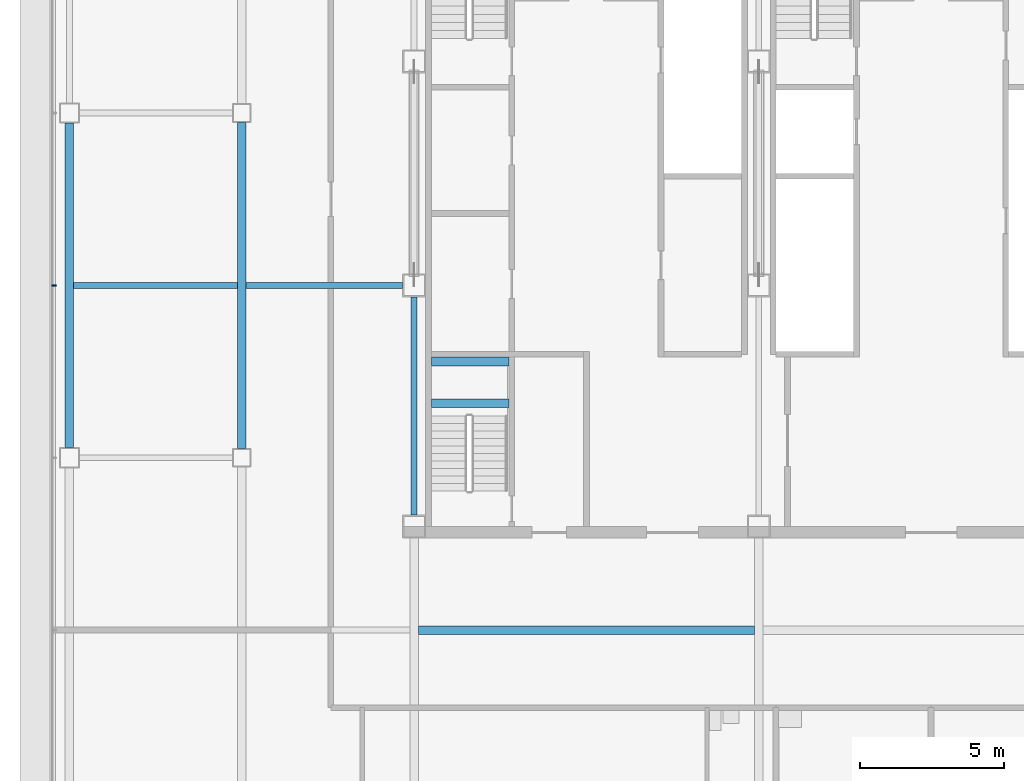
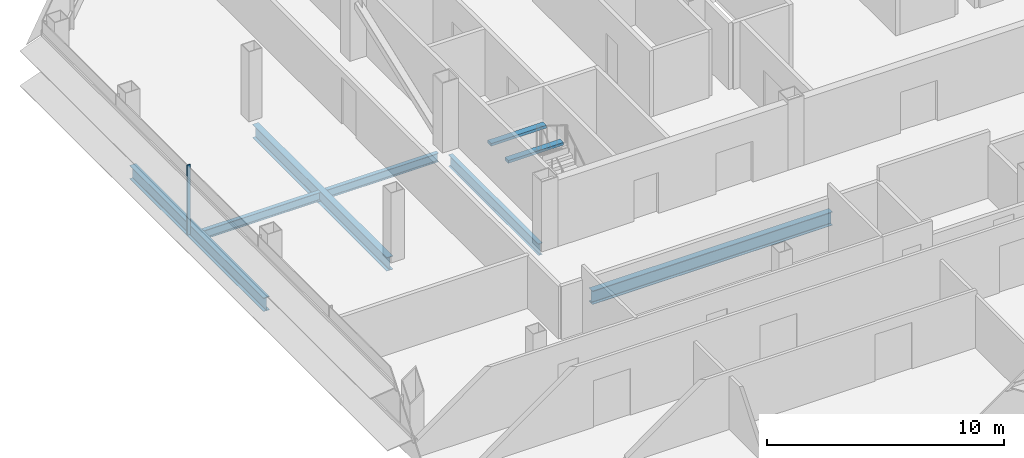
# One storey, part 6 of 24: 8 beams, 1 member, 1 element without a shape of its own.
"""IFC4 building model written with IfcOpenShell, lengths in metres."""

import ifcopenshell
import ifcopenshell.guid

model = None  # the IFC model being written
_history = None  # IfcOwnerHistory: only IFC2X3 demands one
_inside = {}  # id of a spatial element -> (the spatial element, [elements in it])
_under = {}  # id of a project, library or spatial element -> (it, [spatial elements below it])
_declared = {}  # id of a project -> (the project, [libraries it declares])
_typed = {}  # id of a type object -> (the type object, [elements of that type])
_made_of = {}  # id of a material, layer set ... -> (it, [elements and type objects made of it])


def new_model(schema):
    """Start an empty IFC model of exactly this schema.

    Asked for "IFC4X3", IfcOpenShell would pick the latest addendum, in which some entities
    have other attributes; the version numbers below select the first issue.
    IFC2X3 requires an IfcOwnerHistory on every rooted entity: one is made here for all.
    """
    global model, _history
    if schema == "IFC4X3":
        model = ifcopenshell.file(schema_version=(4, 3, 0, 0))
    else:
        model = ifcopenshell.file(schema=schema)
    _inside.clear()
    _under.clear()
    _declared.clear()
    _typed.clear()
    _made_of.clear()
    _history = None
    if model.schema == "IFC2X3":
        org = make("IfcOrganization", Name="unknown")
        user = make(
            "IfcPersonAndOrganization",
            ThePerson=make("IfcPerson", FamilyName="unknown"),
            TheOrganization=org,
        )
        app = make(
            "IfcApplication",
            ApplicationDeveloper=org,
            Version="unknown",
            ApplicationFullName="unknown",
            ApplicationIdentifier="unknown",
        )
        _history = make(
            "IfcOwnerHistory",
            OwningUser=user,
            OwningApplication=app,
            ChangeAction="ADDED",
            CreationDate=0,
        )
    return model


def make(cls, **values):
    """One entity of the class cls with the attributes given. An attribute that is None is left unset."""
    return model.create_entity(
        cls, **{name: value for name, value in values.items() if value is not None}
    )


def rooted(cls, **values):
    """An entity with a GlobalId (a new one), such as an element, a storey or a relation."""
    return make(cls, GlobalId=ifcopenshell.guid.new(), OwnerHistory=_history, **values)


def si_unit(unit_type, name, prefix=None):
    """IfcSIUnit, for example si_unit("LENGTHUNIT", "METRE", prefix="MILLI")."""
    return make("IfcSIUnit", UnitType=unit_type, Prefix=prefix, Name=name)


def assignment(units):
    """IfcUnitAssignment: the units of a project."""
    return None if units is None else make("IfcUnitAssignment", Units=units)


def point(xyz):
    """IfcCartesianPoint."""
    return None if xyz is None else make("IfcCartesianPoint", Coordinates=xyz)


def direction(xyz):
    """IfcDirection."""
    return None if xyz is None else make("IfcDirection", DirectionRatios=xyz)


def frame(location, z_axis=None, x_axis=None):
    """IfcAxis2Placement3D, a coordinate frame: its origin and axes. An axis left out is left unset."""
    return make(
        "IfcAxis2Placement3D",
        Location=point(location),
        Axis=direction(z_axis),
        RefDirection=direction(x_axis),
    )


def frame_2d(location, x_axis=None):
    """IfcAxis2Placement2D, a coordinate frame in the plane: its origin and x axis."""
    return make(
        "IfcAxis2Placement2D", Location=point(location), RefDirection=direction(x_axis)
    )


def origin():
    """The frame at (0, 0, 0) with its axes left unset."""
    return frame((0.0, 0.0, 0.0))


def origin_2d():
    """The frame at (0, 0) in the plane with its x axis left unset."""
    return frame_2d((0.0, 0.0))


def place(relative_to, where):
    """IfcLocalPlacement: puts the frame where relative to a parent placement (None: the world)."""
    return make(
        "IfcLocalPlacement", PlacementRelTo=relative_to, RelativePlacement=where
    )


def context(
    kind, dimensions, precision=None, world=None, true_north=None, identifier=None
):
    """IfcGeometricRepresentationContext, for example the 3D "Model" context."""
    return make(
        "IfcGeometricRepresentationContext",
        ContextIdentifier=identifier,
        ContextType=kind,
        CoordinateSpaceDimension=dimensions,
        Precision=precision,
        WorldCoordinateSystem=world,
        TrueNorth=true_north,
    )


def subcontext(parent, identifier, kind, view, scale=None):
    """IfcGeometricRepresentationSubContext, for example "Body" below "Model"."""
    return make(
        "IfcGeometricRepresentationSubContext",
        ContextIdentifier=identifier,
        ContextType=kind,
        ParentContext=parent,
        TargetScale=scale,
        TargetView=view,
    )


def project(units=None, contexts=None):
    """IfcProject with its units and contexts."""
    return rooted(
        "IfcProject",
        Name="project",
        RepresentationContexts=contexts,
        UnitsInContext=assignment(units),
    )


def spatial(cls, under=None, at=None, **own):
    """A site, building, storey or space (cls), placed at a placement, below another one or the project."""
    s = rooted(cls, ObjectPlacement=at, **own)
    if under is not None:
        _under.setdefault(under.id(), (under, []))[1].append(s)
    return s


def profile(cls, at=None, kind="AREA", **sizes):
    """A parametric profile (cls). Its sizes go by their IFC names, for example OverallWidth=200.0."""
    return make(cls, ProfileType=kind, Position=at, **sizes)


def rectangle(**sizes):
    """IfcRectangleProfileDef."""
    return profile("IfcRectangleProfileDef", **sizes)


def i_section(**sizes):
    """IfcIShapeProfileDef."""
    return profile("IfcIShapeProfileDef", **sizes)


def extrude(swept, where, along, depth):
    """IfcExtrudedAreaSolid: the profile swept, set in the frame where, extruded along a direction by depth."""
    return make(
        "IfcExtrudedAreaSolid",
        SweptArea=swept,
        Position=where,
        ExtrudedDirection=direction(along),
        Depth=depth,
    )


def shape(context_of_items, identifier, shape_type, items):
    """IfcShapeRepresentation: the items that make up one representation, for example the "Body"."""
    return make(
        "IfcShapeRepresentation",
        ContextOfItems=context_of_items,
        RepresentationIdentifier=identifier,
        RepresentationType=shape_type,
        Items=items,
    )


def material(Name=None, Category=None):
    """IfcMaterial."""
    return make("IfcMaterial", Name=Name, Category=Category)


def material_profile(
    of_material, cross_section, Name=None, Category=None, Priority=None
):
    """IfcMaterialProfile: a cross section and its material."""
    return make(
        "IfcMaterialProfile",
        Name=Name,
        Material=of_material,
        Profile=cross_section,
        Priority=Priority,
        Category=Category,
    )


def profile_set(profiles, Name=None, composite=None):
    """IfcMaterialProfileSet."""
    return make(
        "IfcMaterialProfileSet",
        Name=Name,
        MaterialProfiles=profiles,
        CompositeProfile=composite,
    )


def made_of(thing, what):
    """Note that an element or type object is made of a material, layer set ...; save() writes the relation."""
    if what is not None:
        _made_of.setdefault(what.id(), (what, []))[1].append(thing)
    return thing


def type_object(cls, material=None, **own):
    """A type object (cls), such as IfcWallType, which elements share."""
    return made_of(rooted(cls, **own), material)


def element(
    cls,
    number,
    at=None,
    inside=None,
    cuts=None,
    type_object=None,
    material=None,
    context=None,
    identifier="Body",
    shape_type=None,
    held_by="IfcProductDefinitionShape",
    body=None,
    shapes=None,
    **own,
):
    """One element of the class cls, such as IfcWall. Its Tag is "e" and its number.

    at: its placement. inside: the storey or other place that contains it. cuts: it is an
    opening in that element (IfcRelVoidsElement). A single representation is given by context,
    identifier, shape_type and body (its items); several are given by shapes. held_by: the class
    of the entity that holds the representations. save() writes the other relations.
    """
    e = rooted(cls, Tag="e%d" % number, ObjectPlacement=at, **own)
    if body is not None:
        shapes = [shape(context, identifier, shape_type, body)]
    if shapes is not None:
        e.Representation = make(held_by, Representations=shapes)
    if inside is not None:
        _inside.setdefault(inside.id(), (inside, []))[1].append(e)
    if cuts is not None:
        rooted(
            "IfcRelVoidsElement", RelatingBuildingElement=cuts, RelatedOpeningElement=e
        )
    if type_object is not None:
        _typed.setdefault(type_object.id(), (type_object, []))[1].append(e)
    return made_of(e, material)


def aggregate(whole, parts):
    """IfcRelAggregates: a whole, such as a stair, and the parts it consists of."""
    return rooted("IfcRelAggregates", RelatingObject=whole, RelatedObjects=parts)


def save(model, path):
    """Write the relations noted so far, then the file.

    IfcRelAggregates (storeys below a building ...), IfcRelContainedInSpatialStructure (elements
    in a storey), IfcRelDefinesByType, IfcRelAssociatesMaterial and IfcRelDeclares: one each for
    every whole, place, type object, material and project.
    """
    for whole, parts in _under.values():
        aggregate(whole, parts)
    for where, things in _inside.values():
        rooted(
            "IfcRelContainedInSpatialStructure",
            RelatedElements=things,
            RelatingStructure=where,
        )
    for kind, things in _typed.values():
        rooted("IfcRelDefinesByType", RelatedObjects=things, RelatingType=kind)
    for what, things in _made_of.values():
        rooted("IfcRelAssociatesMaterial", RelatedObjects=things, RelatingMaterial=what)
    for by, libraries in _declared.values():
        rooted("IfcRelDeclares", RelatingContext=by, RelatedDefinitions=libraries)
    model.write(path)


model = new_model("IFC4")

# Units and contexts
model_context = context("Model", 3, precision=1e-05, world=origin(), true_north=direction((0.0, 1.0)))
body_context = subcontext(model_context, "Body", "Model", "MODEL_VIEW")
ifc_project = project(units=[si_unit("LENGTHUNIT", "METRE"), si_unit("AREAUNIT", "SQUARE_METRE"), si_unit("VOLUMEUNIT", "CUBIC_METRE"), si_unit("PLANEANGLEUNIT", "RADIAN"), si_unit("MASSUNIT", "GRAM", prefix="KILO")], contexts=[model_context])

# Site, building, storey
site_placement = place(None, origin())
site = spatial("IfcSite", under=ifc_project, at=site_placement, CompositionType="ELEMENT")
building_placement = place(site_placement, origin())
building = spatial("IfcBuilding", under=site, at=building_placement, Name="Sorahane Residences", CompositionType="ELEMENT")
storey_placement = place(building_placement, frame((0.0, 0.0, 174.39990234375)))
storey = spatial("IfcBuildingStorey", under=building, at=storey_placement, Name="L40", CompositionType="ELEMENT", Elevation=174.39990234375)

# Curtain wall, member
ifc_material_1 = material(Name="Dark low-e glass and black anodised aluminium", Category="aluminium")
curtain_wall_type = type_object("IfcCurtainWallType", Name="Curtain wall CW-1 Typical unitised wall", PredefinedType="NOTDEFINED", material=ifc_material_1)
curtain_wall_placement = place(storey_placement, origin())
curtain_wall = element("IfcCurtainWall", 1, at=curtain_wall_placement, inside=storey, type_object=curtain_wall_type, Name="CW-1 curtain wall L40 W1", PredefinedType="NOTDEFINED")
ifc_material_2 = material(Name="Black anodised aluminium", Category="aluminium")
ifc_material_profile_1 = material_profile(ifc_material_2, rectangle(XDim=0.159912109375, YDim=0.050048828125, at=origin_2d()), Name="Curtain wall mullion CW-1 black anodised aluminium 50x160")
ifc_profile_set_1 = profile_set([ifc_material_profile_1], Name="Black anodised aluminium")
member_type = type_object("IfcMemberType", Name="Curtain wall mullion CW-1 black anodised aluminium 50x160", PredefinedType="MULLION", material=ifc_profile_set_1)
member_placement = place(storey_placement, frame((-6.5400390625, 30.0, -0.179931640625), z_axis=(0.0, 0.0, 1.0), x_axis=(-1.0, 0.0, 0.0)))
member = element("IfcMember", 2, at=member_placement, type_object=member_type, Name="CW-1 mullion L40 W1.3", PredefinedType="MULLION", context=body_context, shape_type="SweptSolid", body=[
    extrude(rectangle(XDim=0.159912109375, YDim=0.050048828125, at=origin_2d()), origin(), (0.0, 0.0, 1.0), 3.60009765625),
])
aggregate(curtain_wall, [member])

# Beams
ifc_material_3 = material(Name="Concrete C40", Category="concrete")
ifc_material_profile_2 = material_profile(ifc_material_3, rectangle(XDim=0.300048828125, YDim=0.139892578125, at=origin_2d()), Name="300x140")
ifc_profile_set_2 = profile_set([ifc_material_profile_2], Name="Concrete C40")
beam_type_1 = type_object("IfcBeamType", Name="RC landing beam 300 x 140 Concrete C40", PredefinedType="BEAM", material=ifc_profile_set_2)
for number, where, z_axis, x_axis, name in (
    (3, (6.60009765625, 25.89990234375, 1.530029296875), (1.0, 0.0, 0.0), (0.0, 1.0, 0.0), "Landing beam"),
    (4, (6.60009765625, 27.35009765625, 1.530029296875), (1.0, 0.0, 0.0), (0.0, 1.0, 0.0), "Landing beam"),
):
    element("IfcBeam", number, at=place(storey_placement, frame(where, z_axis=z_axis, x_axis=x_axis)), inside=storey, type_object=beam_type_1, Name=name, PredefinedType="BEAM", context=body_context, shape_type="SweptSolid", body=[
        extrude(rectangle(XDim=0.300048828125, YDim=0.139892578125, at=origin_2d()), origin(), (0.0, 0.0, 1.0), 2.699951171875),
    ])
ifc_material_4 = material(Name="Steel Q355B", Category="steel")
ifc_material_profile_3 = material_profile(ifc_material_4, i_section(OverallWidth=0.199951171875, OverallDepth=0.449951171875, WebThickness=0.009033203125, FlangeThickness=0.013916015625, FilletRadius=0.02001953125, at=origin_2d()), Name="HN 450x200x9x14")
ifc_profile_set_3 = profile_set([ifc_material_profile_3], Name="Steel Q355B")
beam_type_2 = type_object("IfcBeamType", Name="Steel floor beam HN 450x200x9x14 Q355B", PredefinedType="BEAM", material=ifc_profile_set_3)
beam_1_placement = place(storey_placement, frame((-5.85009765625, 30.0, -0.40478515625), z_axis=(1.0, 0.0, 0.0), x_axis=(0.0, 1.0, 0.0)))
element("IfcBeam", 5, at=beam_1_placement, inside=storey, type_object=beam_type_2, Name="Beam L40 085", PredefinedType="BEAM", context=body_context, shape_type="SweptSolid", body=[
    extrude(i_section(OverallWidth=0.199951171875, OverallDepth=0.449951171875, WebThickness=0.009033203125, FlangeThickness=0.013916015625, FilletRadius=0.02001953125, at=origin_2d()), origin(), (0.0, 0.0, 1.0), 5.7001953125),
])
beam_2_placement = place(storey_placement, frame((0.14990234375, 30.0, -0.40478515625), z_axis=(1.0, 0.0, 0.0), x_axis=(0.0, 1.0, 0.0)))
element("IfcBeam", 6, at=beam_2_placement, inside=storey, type_object=beam_type_2, Name="Beam L40 086", PredefinedType="BEAM", context=body_context, shape_type="SweptSolid", body=[
    extrude(i_section(OverallWidth=0.199951171875, OverallDepth=0.449951171875, WebThickness=0.009033203125, FlangeThickness=0.013916015625, FilletRadius=0.02001953125, at=origin_2d()), origin(), (0.0, 0.0, 1.0), 5.4501953125),
])
ifc_material_5 = material(Name="Steel Q355B", Category="steel")
ifc_material_profile_4 = material_profile(ifc_material_5, i_section(OverallWidth=0.199951171875, OverallDepth=0.60009765625, WebThickness=0.010986328125, FlangeThickness=0.01708984375, FilletRadius=0.02392578125, at=origin_2d()), Name="HN 600x200x11x17")
ifc_profile_set_4 = profile_set([ifc_material_profile_4], Name="Steel Q355B")
beam_type_3 = type_object("IfcBeamType", Name="Steel floor beam HN 600x200x11x17 Q355B", PredefinedType="BEAM", material=ifc_profile_set_4)
beam_3_placement = place(storey_placement, frame((6.0, 22.0, -0.47998046875), z_axis=(0.0, 1.0, 0.0), x_axis=(-1.0, 0.0, 0.0)))
element("IfcBeam", 7, at=beam_3_placement, inside=storey, type_object=beam_type_3, Name="Beam L40 030", PredefinedType="BEAM", context=body_context, shape_type="SweptSolid", body=[
    extrude(i_section(OverallWidth=0.199951171875, OverallDepth=0.60009765625, WebThickness=0.010986328125, FlangeThickness=0.01708984375, FilletRadius=0.02392578125, at=origin_2d()), origin(), (0.0, 0.0, 1.0), 7.60009765625),
])
ifc_material_6 = material(Name="Steel Q355B", Category="steel")
ifc_material_profile_5 = material_profile(ifc_material_6, i_section(OverallWidth=0.300048828125, OverallDepth=0.699951171875, WebThickness=0.012939453125, FlangeThickness=0.02392578125, FilletRadius=0.028076171875, at=origin_2d()), Name="HN 700x300x13x24")
ifc_profile_set_5 = profile_set([ifc_material_profile_5], Name="Steel Q355B")
beam_type_4 = type_object("IfcBeamType", Name="Steel floor beam HN 700x300x13x24 Q355B", PredefinedType="BEAM", material=ifc_profile_set_5)
beam_4_placement = place(storey_placement, frame((-6.0, 24.35009765625, -0.52978515625), z_axis=(0.0, 1.0, 0.0), x_axis=(-1.0, 0.0, 0.0)))
element("IfcBeam", 8, at=beam_4_placement, inside=storey, type_object=beam_type_4, Name="Beam L40 022", PredefinedType="BEAM", context=body_context, shape_type="SweptSolid", body=[
    extrude(i_section(OverallWidth=0.300048828125, OverallDepth=0.699951171875, WebThickness=0.012939453125, FlangeThickness=0.02392578125, FilletRadius=0.028076171875, at=origin_2d()), origin(), (0.0, 0.0, 1.0), 11.2998046875),
])
beam_5_placement = place(storey_placement, frame((0.0, 24.324951171875, -0.52978515625), z_axis=(0.0, 1.0, 0.0), x_axis=(-1.0, 0.0, 0.0)))
element("IfcBeam", 9, at=beam_5_placement, inside=storey, type_object=beam_type_4, Name="Beam L40 026", PredefinedType="BEAM", context=body_context, shape_type="SweptSolid", body=[
    extrude(i_section(OverallWidth=0.300048828125, OverallDepth=0.699951171875, WebThickness=0.012939453125, FlangeThickness=0.02392578125, FilletRadius=0.028076171875, at=origin_2d()), origin(), (0.0, 0.0, 1.0), 11.35009765625),
])
beam_6_placement = place(storey_placement, frame((6.14990234375, 18.0, -0.52978515625), z_axis=(1.0, 0.0, 0.0), x_axis=(0.0, 1.0, 0.0)))
element("IfcBeam", 10, at=beam_6_placement, inside=storey, type_object=beam_type_4, Name="Beam L40 080", PredefinedType="BEAM", context=body_context, shape_type="SweptSolid", body=[
    extrude(i_section(OverallWidth=0.300048828125, OverallDepth=0.699951171875, WebThickness=0.012939453125, FlangeThickness=0.02392578125, FilletRadius=0.028076171875, at=origin_2d()), origin(), (0.0, 0.0, 1.0), 11.7001953125),
])

save(model, "model.ifc")
